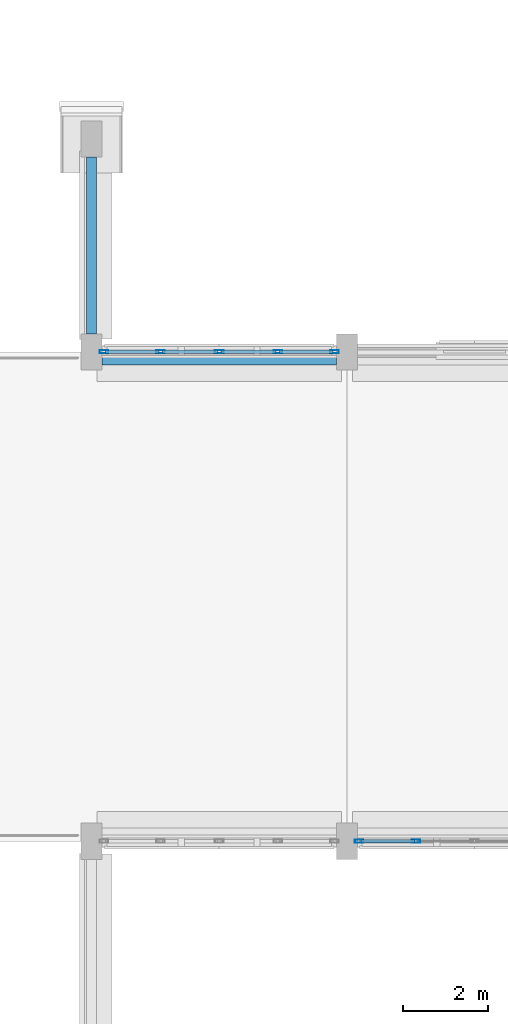
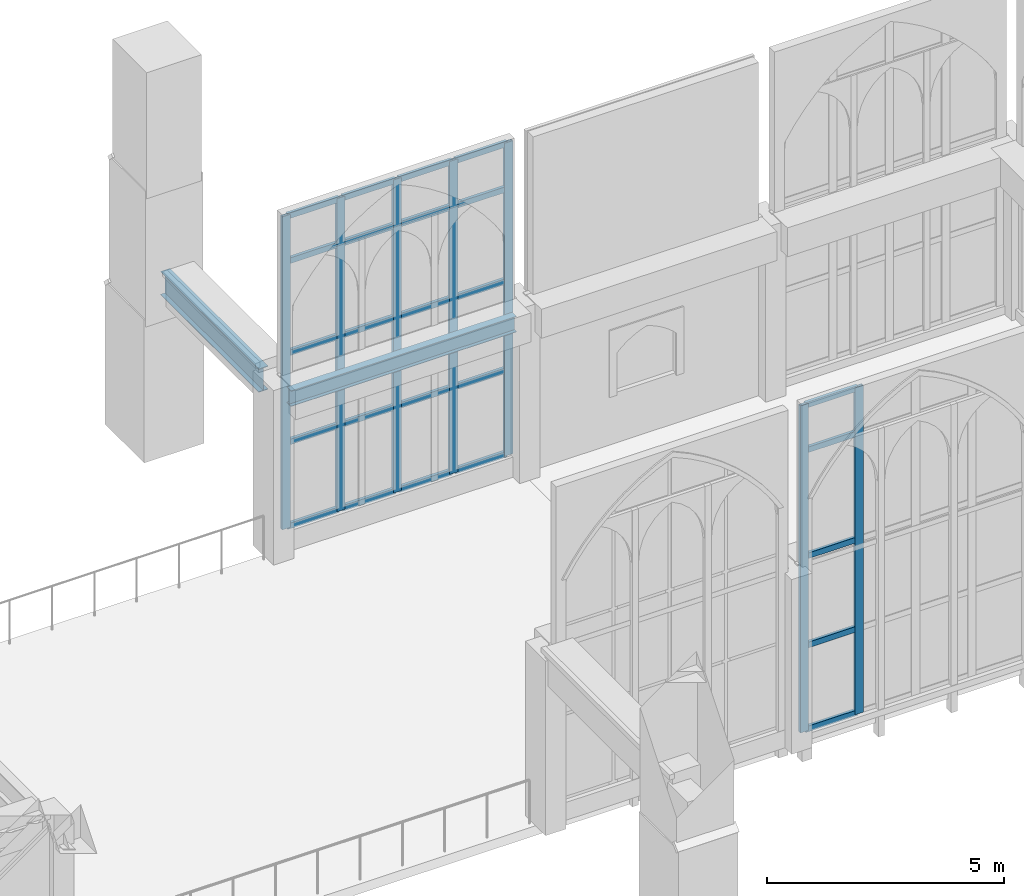
# One storey, part 44 of 108: 32 members, 2 beams, 2 elements without a shape of their own.
"""IFC4 building model written with IfcOpenShell, lengths in metres."""

from ifc_helpers import new_model, si_unit, direction, frame, origin, origin_2d, place, context, subcontext, project, spatial, hollow_rectangle, i_section, extrude, material, layer, layer_set, material_profile, profile_set, type_object, element, aggregate, save


model = new_model("IFC4")

# Units and contexts
model_context = context("Model", 3, precision=1e-05, world=origin(), true_north=direction((0.0, 1.0)))
body_context = subcontext(model_context, "Body", "Model", "MODEL_VIEW")
ifc_project = project(units=[si_unit("LENGTHUNIT", "METRE"), si_unit("AREAUNIT", "SQUARE_METRE"), si_unit("VOLUMEUNIT", "CUBIC_METRE"), si_unit("PLANEANGLEUNIT", "RADIAN"), si_unit("MASSUNIT", "GRAM", prefix="KILO")], contexts=[model_context])

# Site, building, storey
site_placement = place(None, origin())
site = spatial("IfcSite", under=ifc_project, at=site_placement, CompositionType="ELEMENT")
building_placement = place(site_placement, origin())
building = spatial("IfcBuilding", under=site, at=building_placement, Name="Cumevento Cable Car Station", CompositionType="ELEMENT")
storey_placement = place(building_placement, frame((0.0, 0.0, 13.5)))
storey = spatial("IfcBuildingStorey", under=building, at=storey_placement, Name="L04", CompositionType="ELEMENT", Elevation=13.5)

# Curtain wall, members
ifc_material_1 = material(Name="Anodised Bronze Aluminium AW-6063-T6", Category="aluminium")
ifc_layer_1 = layer(ifc_material_1, 0.201904296875)
ifc_layer_set_1 = layer_set([ifc_layer_1], Name="Anodised Bronze Aluminium AW-6063-T6")
curtain_wall_type_1 = type_object("IfcCurtainWallType", Name="Lancet Curtain Wall CW-08 1330", PredefinedType="NOTDEFINED", material=ifc_layer_set_1)
curtain_wall_1_placement = place(storey_placement, origin())
curtain_wall_1 = element("IfcCurtainWall", 1, at=curtain_wall_1_placement, inside=storey, type_object=curtain_wall_type_1, Name="Lancet Curtain Wall CW-08 L04 #167", PredefinedType="NOTDEFINED")
ifc_material_2 = material(Name="Anodised Bronze Aluminium AW-6063-T6", Category="aluminium")
ifc_material_profile_1 = material_profile(ifc_material_2, hollow_rectangle(XDim=0.074951171875, YDim=0.199951171875, WallThickness=0.0048828125, at=origin_2d()), Name="ALUM75x200x5")
ifc_profile_set_1 = profile_set([ifc_material_profile_1], Name="Anodised Bronze Aluminium AW-6063-T6")
member_type_1 = type_object("IfcMemberType", Name="Curtain Mullion CWM-02 ALUM75x200x5", PredefinedType="MULLION", material=ifc_profile_set_1)
member_1_placement = place(storey_placement, frame((100.28759765625, 56.5, 0.52001953125), z_axis=(0.0, 0.0, 1.0), x_axis=(0.0, 1.0, 0.0)))
member_1 = element("IfcMember", 2, at=member_1_placement, type_object=member_type_1, Name="CW-08 mullion 1", PredefinedType="MULLION", context=body_context, shape_type="SweptSolid", body=[
    extrude(hollow_rectangle(XDim=0.074951171875, YDim=0.199951171875, WallThickness=0.0048828125, at=origin_2d()), origin(), (0.0, 0.0, 1.0), 8.072998046875),
])
member_2_placement = place(storey_placement, frame((101.625, 56.5, 0.52001953125), z_axis=(0.0, 0.0, 1.0), x_axis=(0.0, 1.0, 0.0)))
member_2 = element("IfcMember", 3, at=member_2_placement, type_object=member_type_1, Name="CW-08 mullion 2", PredefinedType="MULLION", context=body_context, shape_type="SweptSolid", body=[
    extrude(hollow_rectangle(XDim=0.074951171875, YDim=0.199951171875, WallThickness=0.0048828125, at=origin_2d()), origin(), (0.0, 0.0, 1.0), 8.072998046875),
])
member_3_placement = place(storey_placement, frame((103.0, 56.5, 0.52001953125), z_axis=(0.0, 0.0, 1.0), x_axis=(0.0, 1.0, 0.0)))
member_3 = element("IfcMember", 4, at=member_3_placement, type_object=member_type_1, Name="CW-08 mullion 3", PredefinedType="MULLION", context=body_context, shape_type="SweptSolid", body=[
    extrude(hollow_rectangle(XDim=0.074951171875, YDim=0.199951171875, WallThickness=0.0048828125, at=origin_2d()), origin(), (0.0, 0.0, 1.0), 8.072998046875),
])
member_4_placement = place(storey_placement, frame((104.375, 56.5, 0.52001953125), z_axis=(0.0, 0.0, 1.0), x_axis=(0.0, 1.0, 0.0)))
member_4 = element("IfcMember", 5, at=member_4_placement, type_object=member_type_1, Name="CW-08 mullion 4", PredefinedType="MULLION", context=body_context, shape_type="SweptSolid", body=[
    extrude(hollow_rectangle(XDim=0.074951171875, YDim=0.199951171875, WallThickness=0.0048828125, at=origin_2d()), origin(), (0.0, 0.0, 1.0), 8.072998046875),
])
member_5_placement = place(storey_placement, frame((105.71240234375, 56.5, 0.52001953125), z_axis=(0.0, 0.0, 1.0), x_axis=(0.0, 1.0, 0.0)))
member_5 = element("IfcMember", 6, at=member_5_placement, type_object=member_type_1, Name="CW-08 mullion 5", PredefinedType="MULLION", context=body_context, shape_type="SweptSolid", body=[
    extrude(hollow_rectangle(XDim=0.074951171875, YDim=0.199951171875, WallThickness=0.0048828125, at=origin_2d()), origin(), (0.0, 0.0, 1.0), 8.072998046875),
])

ifc_material_3 = material(Name="Anodised Bronze Aluminium AW-6063-T6", Category="aluminium")
ifc_layer_2 = layer(ifc_material_3, 0.2080078125)
ifc_layer_set_2 = layer_set([ifc_layer_2], Name="Anodised Bronze Aluminium AW-6063-T6")
curtain_wall_type_2 = type_object("IfcCurtainWallType", Name="Lancet Curtain Wall CW-09 1370", PredefinedType="NOTDEFINED", material=ifc_layer_set_2)
curtain_wall_2_placement = place(storey_placement, origin())
curtain_wall_2 = element("IfcCurtainWall", 7, at=curtain_wall_2_placement, inside=storey, type_object=curtain_wall_type_2, Name="Lancet Curtain Wall CW-09 L04 #168", PredefinedType="NOTDEFINED")
member_6_placement = place(storey_placement, frame((107.625, 45.0, 0.159912109375), z_axis=(0.0, 0.0, 1.0), x_axis=(0.0, -1.0, 0.0)))
member_6 = element("IfcMember", 8, at=member_6_placement, type_object=member_type_1, Name="CW-09 mullion 4", PredefinedType="MULLION", context=body_context, shape_type="SweptSolid", body=[
    extrude(hollow_rectangle(XDim=0.074951171875, YDim=0.199951171875, WallThickness=0.0048828125, at=origin_2d()), origin(), (0.0, 0.0, 1.0), 8.43310546875),
])
member_7_placement = place(storey_placement, frame((106.28759765625, 45.0, 0.159912109375), z_axis=(0.0, 0.0, 1.0), x_axis=(0.0, -1.0, 0.0)))
member_7 = element("IfcMember", 9, at=member_7_placement, type_object=member_type_1, Name="CW-09 mullion 5", PredefinedType="MULLION", context=body_context, shape_type="SweptSolid", body=[
    extrude(hollow_rectangle(XDim=0.074951171875, YDim=0.199951171875, WallThickness=0.0048828125, at=origin_2d()), origin(), (0.0, 0.0, 1.0), 8.43310546875),
])

# Member
ifc_material_4 = material(Name="Anodised Bronze Aluminium AW-6063-T6", Category="aluminium")
ifc_material_profile_2 = material_profile(ifc_material_4, hollow_rectangle(XDim=0.074951171875, YDim=0.14501953125, WallThickness=0.00439453125, at=origin_2d()), Name="ALUT75x145x4.5")
ifc_profile_set_2 = profile_set([ifc_material_profile_2], Name="Anodised Bronze Aluminium AW-6063-T6")
member_type_2 = type_object("IfcMemberType", Name="Curtain Transom CWT-02 ALUT75x145x4.5", PredefinedType="USERDEFINED", material=ifc_profile_set_2)
member_8_placement = place(storey_placement, frame((100.324951171875, 56.5, 0.5576171875), z_axis=(1.0, 0.0, 0.0), x_axis=(0.0, 1.0, 0.0)))
member_8 = element("IfcMember", 10, at=member_8_placement, type_object=member_type_2, Name="CW-08 transom 1.1", ObjectType="TRANSOM", PredefinedType="USERDEFINED", context=body_context, shape_type="SweptSolid", body=[
    extrude(hollow_rectangle(XDim=0.074951171875, YDim=0.14501953125, WallThickness=0.00439453125, at=origin_2d()), origin(), (0.0, 0.0, 1.0), 1.262451171875),
])

member_9_placement = place(storey_placement, frame((100.324951171875, 56.5, 2.719970703125), z_axis=(1.0, 0.0, 0.0), x_axis=(0.0, 1.0, 0.0)))
member_9 = element("IfcMember", 11, at=member_9_placement, type_object=member_type_2, Name="CW-08 transom 1.2", ObjectType="TRANSOM", PredefinedType="USERDEFINED", context=body_context, shape_type="SweptSolid", body=[
    extrude(hollow_rectangle(XDim=0.074951171875, YDim=0.14501953125, WallThickness=0.00439453125, at=origin_2d()), origin(), (0.0, 0.0, 1.0), 1.262451171875),
])

member_10_placement = place(storey_placement, frame((100.324951171875, 56.5, 5.02001953125), z_axis=(1.0, 0.0, 0.0), x_axis=(0.0, 1.0, 0.0)))
member_10 = element("IfcMember", 12, at=member_10_placement, type_object=member_type_2, Name="CW-08 transom 1.3", ObjectType="TRANSOM", PredefinedType="USERDEFINED", context=body_context, shape_type="SweptSolid", body=[
    extrude(hollow_rectangle(XDim=0.074951171875, YDim=0.14501953125, WallThickness=0.00439453125, at=origin_2d()), origin(), (0.0, 0.0, 1.0), 1.262451171875),
])

member_11_placement = place(storey_placement, frame((100.324951171875, 56.5, 7.39306640625), z_axis=(1.0, 0.0, 0.0), x_axis=(0.0, 1.0, 0.0)))
member_11 = element("IfcMember", 13, at=member_11_placement, type_object=member_type_2, Name="CW-08 transom 1.4", ObjectType="TRANSOM", PredefinedType="USERDEFINED", context=body_context, shape_type="SweptSolid", body=[
    extrude(hollow_rectangle(XDim=0.074951171875, YDim=0.14501953125, WallThickness=0.00439453125, at=origin_2d()), origin(), (0.0, 0.0, 1.0), 1.262451171875),
])

member_12_placement = place(storey_placement, frame((100.324951171875, 56.5, 8.555419921875), z_axis=(1.0, 0.0, 0.0), x_axis=(0.0, 1.0, 0.0)))
member_12 = element("IfcMember", 14, at=member_12_placement, type_object=member_type_2, Name="CW-08 transom 1.5", ObjectType="TRANSOM", PredefinedType="USERDEFINED", context=body_context, shape_type="SweptSolid", body=[
    extrude(hollow_rectangle(XDim=0.074951171875, YDim=0.14501953125, WallThickness=0.00439453125, at=origin_2d()), origin(), (0.0, 0.0, 1.0), 1.262451171875),
])

member_13_placement = place(storey_placement, frame((101.66259765625, 56.5, 0.5576171875), z_axis=(1.0, 0.0, 0.0), x_axis=(0.0, 1.0, 0.0)))
member_13 = element("IfcMember", 15, at=member_13_placement, type_object=member_type_2, Name="CW-08 transom 2.1", ObjectType="TRANSOM", PredefinedType="USERDEFINED", context=body_context, shape_type="SweptSolid", body=[
    extrude(hollow_rectangle(XDim=0.074951171875, YDim=0.14501953125, WallThickness=0.00439453125, at=origin_2d()), origin(), (0.0, 0.0, 1.0), 1.2998046875),
])

member_14_placement = place(storey_placement, frame((101.66259765625, 56.5, 2.719970703125), z_axis=(1.0, 0.0, 0.0), x_axis=(0.0, 1.0, 0.0)))
member_14 = element("IfcMember", 16, at=member_14_placement, type_object=member_type_2, Name="CW-08 transom 2.2", ObjectType="TRANSOM", PredefinedType="USERDEFINED", context=body_context, shape_type="SweptSolid", body=[
    extrude(hollow_rectangle(XDim=0.074951171875, YDim=0.14501953125, WallThickness=0.00439453125, at=origin_2d()), origin(), (0.0, 0.0, 1.0), 1.2998046875),
])

member_15_placement = place(storey_placement, frame((101.66259765625, 56.5, 5.02001953125), z_axis=(1.0, 0.0, 0.0), x_axis=(0.0, 1.0, 0.0)))
member_15 = element("IfcMember", 17, at=member_15_placement, type_object=member_type_2, Name="CW-08 transom 2.3", ObjectType="TRANSOM", PredefinedType="USERDEFINED", context=body_context, shape_type="SweptSolid", body=[
    extrude(hollow_rectangle(XDim=0.074951171875, YDim=0.14501953125, WallThickness=0.00439453125, at=origin_2d()), origin(), (0.0, 0.0, 1.0), 1.2998046875),
])

member_16_placement = place(storey_placement, frame((101.66259765625, 56.5, 7.39306640625), z_axis=(1.0, 0.0, 0.0), x_axis=(0.0, 1.0, 0.0)))
member_16 = element("IfcMember", 18, at=member_16_placement, type_object=member_type_2, Name="CW-08 transom 2.4", ObjectType="TRANSOM", PredefinedType="USERDEFINED", context=body_context, shape_type="SweptSolid", body=[
    extrude(hollow_rectangle(XDim=0.074951171875, YDim=0.14501953125, WallThickness=0.00439453125, at=origin_2d()), origin(), (0.0, 0.0, 1.0), 1.2998046875),
])

member_17_placement = place(storey_placement, frame((101.66259765625, 56.5, 8.555419921875), z_axis=(1.0, 0.0, 0.0), x_axis=(0.0, 1.0, 0.0)))
member_17 = element("IfcMember", 19, at=member_17_placement, type_object=member_type_2, Name="CW-08 transom 2.5", ObjectType="TRANSOM", PredefinedType="USERDEFINED", context=body_context, shape_type="SweptSolid", body=[
    extrude(hollow_rectangle(XDim=0.074951171875, YDim=0.14501953125, WallThickness=0.00439453125, at=origin_2d()), origin(), (0.0, 0.0, 1.0), 1.2998046875),
])

member_18_placement = place(storey_placement, frame((103.03759765625, 56.5, 0.5576171875), z_axis=(1.0, 0.0, 0.0), x_axis=(0.0, 1.0, 0.0)))
member_18 = element("IfcMember", 20, at=member_18_placement, type_object=member_type_2, Name="CW-08 transom 3.1", ObjectType="TRANSOM", PredefinedType="USERDEFINED", context=body_context, shape_type="SweptSolid", body=[
    extrude(hollow_rectangle(XDim=0.074951171875, YDim=0.14501953125, WallThickness=0.00439453125, at=origin_2d()), origin(), (0.0, 0.0, 1.0), 1.2998046875),
])

member_19_placement = place(storey_placement, frame((103.03759765625, 56.5, 2.719970703125), z_axis=(1.0, 0.0, 0.0), x_axis=(0.0, 1.0, 0.0)))
member_19 = element("IfcMember", 21, at=member_19_placement, type_object=member_type_2, Name="CW-08 transom 3.2", ObjectType="TRANSOM", PredefinedType="USERDEFINED", context=body_context, shape_type="SweptSolid", body=[
    extrude(hollow_rectangle(XDim=0.074951171875, YDim=0.14501953125, WallThickness=0.00439453125, at=origin_2d()), origin(), (0.0, 0.0, 1.0), 1.2998046875),
])

member_20_placement = place(storey_placement, frame((103.03759765625, 56.5, 5.02001953125), z_axis=(1.0, 0.0, 0.0), x_axis=(0.0, 1.0, 0.0)))
member_20 = element("IfcMember", 22, at=member_20_placement, type_object=member_type_2, Name="CW-08 transom 3.3", ObjectType="TRANSOM", PredefinedType="USERDEFINED", context=body_context, shape_type="SweptSolid", body=[
    extrude(hollow_rectangle(XDim=0.074951171875, YDim=0.14501953125, WallThickness=0.00439453125, at=origin_2d()), origin(), (0.0, 0.0, 1.0), 1.2998046875),
])

member_21_placement = place(storey_placement, frame((103.03759765625, 56.5, 7.39306640625), z_axis=(1.0, 0.0, 0.0), x_axis=(0.0, 1.0, 0.0)))
member_21 = element("IfcMember", 23, at=member_21_placement, type_object=member_type_2, Name="CW-08 transom 3.4", ObjectType="TRANSOM", PredefinedType="USERDEFINED", context=body_context, shape_type="SweptSolid", body=[
    extrude(hollow_rectangle(XDim=0.074951171875, YDim=0.14501953125, WallThickness=0.00439453125, at=origin_2d()), origin(), (0.0, 0.0, 1.0), 1.2998046875),
])

member_22_placement = place(storey_placement, frame((103.03759765625, 56.5, 8.555419921875), z_axis=(1.0, 0.0, 0.0), x_axis=(0.0, 1.0, 0.0)))
member_22 = element("IfcMember", 24, at=member_22_placement, type_object=member_type_2, Name="CW-08 transom 3.5", ObjectType="TRANSOM", PredefinedType="USERDEFINED", context=body_context, shape_type="SweptSolid", body=[
    extrude(hollow_rectangle(XDim=0.074951171875, YDim=0.14501953125, WallThickness=0.00439453125, at=origin_2d()), origin(), (0.0, 0.0, 1.0), 1.2998046875),
])

member_23_placement = place(storey_placement, frame((104.41259765625, 56.5, 0.5576171875), z_axis=(1.0, 0.0, 0.0), x_axis=(0.0, 1.0, 0.0)))
member_23 = element("IfcMember", 25, at=member_23_placement, type_object=member_type_2, Name="CW-08 transom 4.1", ObjectType="TRANSOM", PredefinedType="USERDEFINED", context=body_context, shape_type="SweptSolid", body=[
    extrude(hollow_rectangle(XDim=0.074951171875, YDim=0.14501953125, WallThickness=0.00439453125, at=origin_2d()), origin(), (0.0, 0.0, 1.0), 1.262451171875),
])

member_24_placement = place(storey_placement, frame((104.41259765625, 56.5, 2.719970703125), z_axis=(1.0, 0.0, 0.0), x_axis=(0.0, 1.0, 0.0)))
member_24 = element("IfcMember", 26, at=member_24_placement, type_object=member_type_2, Name="CW-08 transom 4.2", ObjectType="TRANSOM", PredefinedType="USERDEFINED", context=body_context, shape_type="SweptSolid", body=[
    extrude(hollow_rectangle(XDim=0.074951171875, YDim=0.14501953125, WallThickness=0.00439453125, at=origin_2d()), origin(), (0.0, 0.0, 1.0), 1.262451171875),
])

member_25_placement = place(storey_placement, frame((104.41259765625, 56.5, 5.02001953125), z_axis=(1.0, 0.0, 0.0), x_axis=(0.0, 1.0, 0.0)))
member_25 = element("IfcMember", 27, at=member_25_placement, type_object=member_type_2, Name="CW-08 transom 4.3", ObjectType="TRANSOM", PredefinedType="USERDEFINED", context=body_context, shape_type="SweptSolid", body=[
    extrude(hollow_rectangle(XDim=0.074951171875, YDim=0.14501953125, WallThickness=0.00439453125, at=origin_2d()), origin(), (0.0, 0.0, 1.0), 1.262451171875),
])

member_26_placement = place(storey_placement, frame((104.41259765625, 56.5, 7.39306640625), z_axis=(1.0, 0.0, 0.0), x_axis=(0.0, 1.0, 0.0)))
member_26 = element("IfcMember", 28, at=member_26_placement, type_object=member_type_2, Name="CW-08 transom 4.4", ObjectType="TRANSOM", PredefinedType="USERDEFINED", context=body_context, shape_type="SweptSolid", body=[
    extrude(hollow_rectangle(XDim=0.074951171875, YDim=0.14501953125, WallThickness=0.00439453125, at=origin_2d()), origin(), (0.0, 0.0, 1.0), 1.262451171875),
])

member_27_placement = place(storey_placement, frame((104.41259765625, 56.5, 8.555419921875), z_axis=(1.0, 0.0, 0.0), x_axis=(0.0, 1.0, 0.0)))
member_27 = element("IfcMember", 29, at=member_27_placement, type_object=member_type_2, Name="CW-08 transom 4.5", ObjectType="TRANSOM", PredefinedType="USERDEFINED", context=body_context, shape_type="SweptSolid", body=[
    extrude(hollow_rectangle(XDim=0.074951171875, YDim=0.14501953125, WallThickness=0.00439453125, at=origin_2d()), origin(), (0.0, 0.0, 1.0), 1.262451171875),
])

aggregate(curtain_wall_1, [member_1, member_2, member_3, member_4, member_5, member_8, member_9, member_10, member_11, member_12, member_13, member_14, member_15, member_16, member_17, member_18, member_19, member_20, member_21, member_22, member_23, member_24, member_25, member_26, member_27])

member_28_placement = place(storey_placement, frame((107.58740234375, 45.0, 0.197509765625), z_axis=(-1.0, 0.0, 0.0), x_axis=(0.0, -1.0, 0.0)))
member_28 = element("IfcMember", 30, at=member_28_placement, type_object=member_type_2, Name="CW-09 transom 4.1", ObjectType="TRANSOM", PredefinedType="USERDEFINED", context=body_context, shape_type="SweptSolid", body=[
    extrude(hollow_rectangle(XDim=0.074951171875, YDim=0.14501953125, WallThickness=0.00439453125, at=origin_2d()), origin(), (0.0, 0.0, 1.0), 1.262451171875),
])

member_29_placement = place(storey_placement, frame((107.58740234375, 45.0, 2.360107421875), z_axis=(-1.0, 0.0, 0.0), x_axis=(0.0, -1.0, 0.0)))
member_29 = element("IfcMember", 31, at=member_29_placement, type_object=member_type_2, Name="CW-09 transom 4.2", ObjectType="TRANSOM", PredefinedType="USERDEFINED", context=body_context, shape_type="SweptSolid", body=[
    extrude(hollow_rectangle(XDim=0.074951171875, YDim=0.14501953125, WallThickness=0.00439453125, at=origin_2d()), origin(), (0.0, 0.0, 1.0), 1.262451171875),
])

member_30_placement = place(storey_placement, frame((107.58740234375, 45.0, 4.659912109375), z_axis=(-1.0, 0.0, 0.0), x_axis=(0.0, -1.0, 0.0)))
member_30 = element("IfcMember", 32, at=member_30_placement, type_object=member_type_2, Name="CW-09 transom 4.3", ObjectType="TRANSOM", PredefinedType="USERDEFINED", context=body_context, shape_type="SweptSolid", body=[
    extrude(hollow_rectangle(XDim=0.074951171875, YDim=0.14501953125, WallThickness=0.00439453125, at=origin_2d()), origin(), (0.0, 0.0, 1.0), 1.262451171875),
])

member_31_placement = place(storey_placement, frame((107.58740234375, 45.0, 7.39306640625), z_axis=(-1.0, 0.0, 0.0), x_axis=(0.0, -1.0, 0.0)))
member_31 = element("IfcMember", 33, at=member_31_placement, type_object=member_type_2, Name="CW-09 transom 4.4", ObjectType="TRANSOM", PredefinedType="USERDEFINED", context=body_context, shape_type="SweptSolid", body=[
    extrude(hollow_rectangle(XDim=0.074951171875, YDim=0.14501953125, WallThickness=0.00439453125, at=origin_2d()), origin(), (0.0, 0.0, 1.0), 1.262451171875),
])

member_32_placement = place(storey_placement, frame((107.58740234375, 45.0, 8.555419921875), z_axis=(-1.0, 0.0, 0.0), x_axis=(0.0, -1.0, 0.0)))
member_32 = element("IfcMember", 34, at=member_32_placement, type_object=member_type_2, Name="CW-09 transom 4.5", ObjectType="TRANSOM", PredefinedType="USERDEFINED", context=body_context, shape_type="SweptSolid", body=[
    extrude(hollow_rectangle(XDim=0.074951171875, YDim=0.14501953125, WallThickness=0.00439453125, at=origin_2d()), origin(), (0.0, 0.0, 1.0), 1.262451171875),
])

aggregate(curtain_wall_2, [member_6, member_7, member_28, member_29, member_30, member_31, member_32])

# Beams
ifc_material_5 = material(Name="Steel ASTM A572 Grade 50", Category="steel")
ifc_material_profile_3 = material_profile(ifc_material_5, i_section(OverallWidth=0.22802734375, OverallDepth=0.60791015625, WebThickness=0.01123046875, FlangeThickness=0.017333984375, at=origin_2d()), Name="W610x113.0")
ifc_profile_set_3 = profile_set([ifc_material_profile_3], Name="Steel ASTM A572 Grade 50")
beam_type_1 = type_object("IfcBeamType", Name="Structural Beam BM-02 W610x113.0", PredefinedType="BEAM", material=ifc_profile_set_3)
beam_1_placement = place(storey_placement, frame((100.0, 56.925048828125, 4.196044921875), z_axis=(0.0, 1.0, 0.0), x_axis=(-1.0, 0.0, 0.0)))
element("IfcBeam", 35, at=beam_1_placement, inside=storey, type_object=beam_type_1, Name="North Uphill Summit Ropeway Cabin Portal Buttress Tie Girder L04 #86", PredefinedType="BEAM", context=body_context, shape_type="SweptSolid", body=[
    extrude(i_section(OverallWidth=0.22802734375, OverallDepth=0.60791015625, WebThickness=0.01123046875, FlangeThickness=0.017333984375, at=origin_2d()), origin(), (0.0, 0.0, 1.0), 4.14990234375),
])
ifc_material_6 = material(Name="Steel ASTM A572 Grade 50", Category="steel")
ifc_material_profile_4 = material_profile(ifc_material_6, i_section(OverallWidth=0.177978515625, OverallDepth=0.406982421875, WebThickness=0.0078125, FlangeThickness=0.0126953125, at=origin_2d()), Name="W410x60.0")
ifc_profile_set_4 = profile_set([ifc_material_profile_4], Name="Steel ASTM A572 Grade 50")
beam_type_2 = type_object("IfcBeamType", Name="Structural Spandrel SP-01 W410x60.0", PredefinedType="SPANDREL", material=ifc_profile_set_4)
beam_2_placement = place(storey_placement, frame((100.25, 56.280029296875, 4.04638671875), z_axis=(1.0, 0.0, 0.0), x_axis=(0.0, 1.0, 0.0)))
element("IfcBeam", 36, at=beam_2_placement, inside=storey, type_object=beam_type_2, Name="Beam SP-01 L04 #1432", PredefinedType="SPANDREL", context=body_context, shape_type="SweptSolid", body=[
    extrude(i_section(OverallWidth=0.177978515625, OverallDepth=0.406982421875, WebThickness=0.0078125, FlangeThickness=0.0126953125, at=origin_2d()), origin(), (0.0, 0.0, 1.0), 5.5),
])

save(model, "model.ifc")
